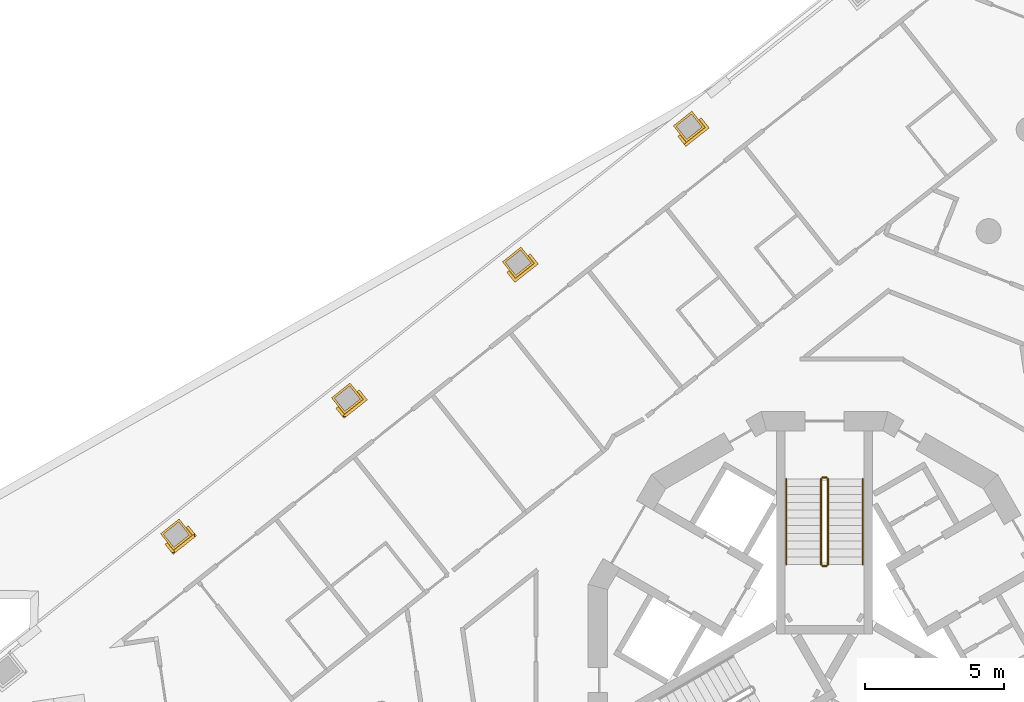
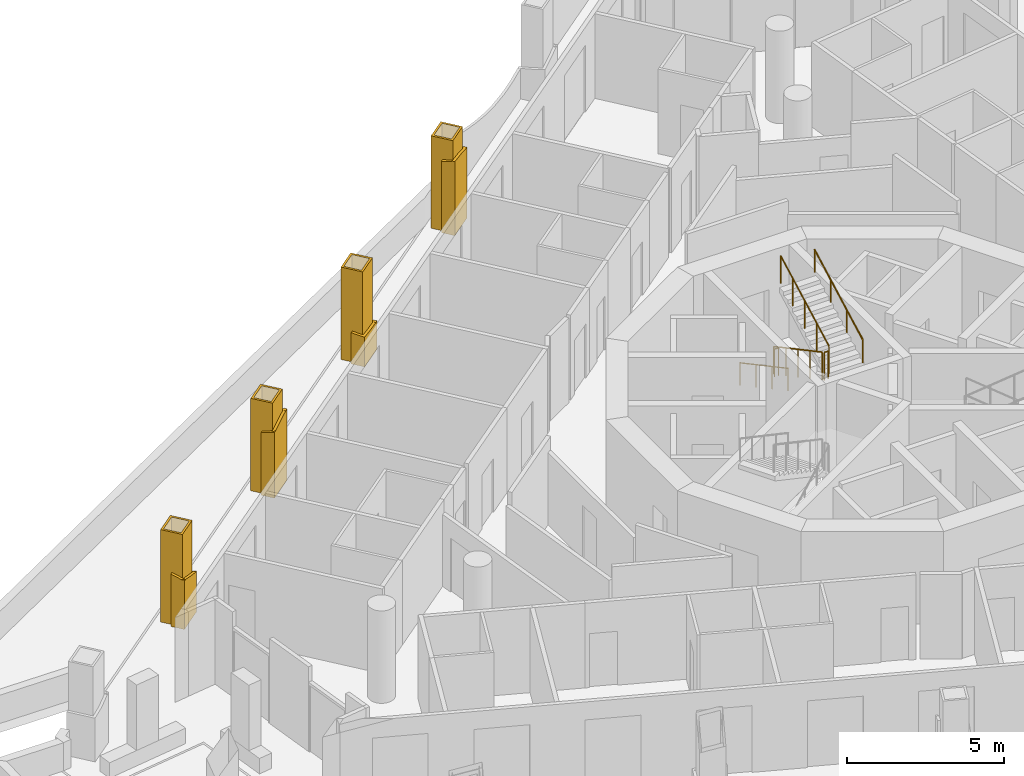
# One storey, part 14 of 16: 10 railings, 4 coverings.
"""IFC4 building model written with IfcOpenShell, lengths in metres."""

from ifc_helpers import new_model, si_unit, direction, frame, origin, origin_2d, place, context, subcontext, project, spatial, polyline, circle, outline, extrude, material, layer, layer_set, type_object, element, save


model = new_model("IFC4")

# Units and contexts
model_context = context("Model", 3, precision=1e-05, world=origin(), true_north=direction((0.0, 1.0)))
body_context = subcontext(model_context, "Body", "Model", "MODEL_VIEW")
ifc_project = project(units=[si_unit("LENGTHUNIT", "METRE"), si_unit("AREAUNIT", "SQUARE_METRE"), si_unit("VOLUMEUNIT", "CUBIC_METRE"), si_unit("PLANEANGLEUNIT", "RADIAN"), si_unit("MASSUNIT", "GRAM", prefix="KILO")], contexts=[model_context])

# Site, building, storey
site_placement = place(None, origin())
site = spatial("IfcSite", under=ifc_project, at=site_placement, CompositionType="ELEMENT")
building_placement = place(site_placement, origin())
building = spatial("IfcBuilding", under=site, at=building_placement, Name="Trine Commons Tower", CompositionType="ELEMENT")
storey_placement = place(building_placement, frame((0.0, 0.0, 198.0)))
storey = spatial("IfcBuildingStorey", under=building, at=storey_placement, Name="L51", CompositionType="ELEMENT", Elevation=198.0)

# Coverings
ifc_material_1 = material(Name="Limestone, honed", Category="masonry")
ifc_layer_1 = layer(ifc_material_1, 0.074951171875)
ifc_layer_set_1 = layer_set([ifc_layer_1], Name="Limestone, honed")
covering_type = type_object("IfcCoveringType", Name="Limestone column cladding 75", PredefinedType="CLADDING", material=ifc_layer_set_1)
covering_1_placement = place(storey_placement, origin())
element("IfcCovering", 1, at=covering_1_placement, inside=storey, type_object=covering_type, Name="Limestone pier cladding 6-09", PredefinedType="CLADDING", context=body_context, shape_type="SweptSolid", body=[
    extrude(outline(polyline([(57.265625, 66.54150390625), (56.798583984375, 67.12841796875), (56.13330078125, 66.599365234375), (56.600341796875, 66.012451171875), (57.265625, 66.54150390625)]), holes=[polyline([(57.16015625, 66.5537109375), (56.78662109375, 67.023193359375), (56.23876953125, 66.58740234375), (56.6123046875, 66.117919921875), (57.16015625, 66.5537109375)])]), origin(), (0.0, 0.0, 1.0), 3.60009765625),
])
covering_2_placement = place(storey_placement, origin())
element("IfcCovering", 2, at=covering_2_placement, inside=storey, type_object=covering_type, Name="Limestone pier cladding 6-10", PredefinedType="CLADDING", context=body_context, shape_type="SweptSolid", body=[
    extrude(outline(polyline([(63.40966796875, 71.4287109375), (62.942626953125, 72.015625), (62.27734375, 71.486572265625), (62.744384765625, 70.899658203125), (63.40966796875, 71.4287109375)]), holes=[polyline([(63.30419921875, 71.440673828125), (62.9306640625, 71.910400390625), (62.3828125, 71.474609375), (62.75634765625, 71.0048828125), (63.30419921875, 71.440673828125)])]), origin(), (0.0, 0.0, 1.0), 3.60009765625),
])
covering_3_placement = place(storey_placement, origin())
element("IfcCovering", 3, at=covering_3_placement, inside=storey, type_object=covering_type, Name="Limestone pier cladding 6-11", PredefinedType="CLADDING", context=body_context, shape_type="SweptSolid", body=[
    extrude(outline(polyline([(69.553466796875, 76.31591796875), (69.086669921875, 76.902587890625), (68.42138671875, 76.37353515625), (68.88818359375, 75.78662109375), (69.553466796875, 76.31591796875)]), holes=[polyline([(69.447998046875, 76.327880859375), (69.07470703125, 76.79736328125), (68.526611328125, 76.361572265625), (68.900146484375, 75.89208984375), (69.447998046875, 76.327880859375)])]), origin(), (0.0, 0.0, 1.0), 3.60009765625),
])
covering_4_placement = place(storey_placement, origin())
element("IfcCovering", 4, at=covering_4_placement, inside=storey, type_object=covering_type, Name="Limestone pier cladding 6-12", PredefinedType="CLADDING", context=body_context, shape_type="SweptSolid", body=[
    extrude(outline(polyline([(75.697509765625, 81.202880859375), (75.230712890625, 81.789794921875), (74.565185546875, 81.2607421875), (75.0322265625, 80.673828125), (75.697509765625, 81.202880859375)]), holes=[polyline([(75.592041015625, 81.21484375), (75.218505859375, 81.6845703125), (74.670654296875, 81.248779296875), (75.044189453125, 80.779052734375), (75.592041015625, 81.21484375)])]), origin(), (0.0, 0.0, 1.0), 3.60009765625),
])

# Railings
ifc_material_2 = material(Name="Stainless steel balustrade", Category="steel")
railing_type_1 = type_object("IfcRailingType", Name="Stair guard, steel balustrade 1100", PredefinedType="GUARDRAIL", material=ifc_material_2)
railing_1_placement = place(storey_placement, frame((79.875, 68.570556640625, 0.14990234375)))
element("IfcRailing", 5, at=railing_1_placement, inside=storey, type_object=railing_type_1, Name="L51 ST1C stair guard 1", PredefinedType="GUARDRAIL", context=body_context, shape_type="SweptSolid", body=[
    extrude(circle(Radius=0.02392578125, at=origin_2d()), frame((0.0, 0.0, 1.076171875), z_axis=(0.0, -0.881467505477, 0.472244678941), x_axis=(1.0, 0.0, 0.0)), (0.0, 0.0, 1.0), 3.494140625),
    extrude(circle(Radius=0.02099609375, at=origin_2d()), origin(), (0.0, 0.0, 1.0), 1.052001953125),
    extrude(circle(Radius=0.02099609375, at=origin_2d()), frame((0.0, -0.77001953125, 0.41259765625)), (0.0, 0.0, 1.0), 1.052001953125),
    extrude(circle(Radius=0.02099609375, at=origin_2d()), frame((0.0, -1.5400390625, 0.8251953125)), (0.0, 0.0, 1.0), 1.052001953125),
    extrude(circle(Radius=0.02099609375, at=origin_2d()), frame((0.0, -2.31005859375, 1.237548828125)), (0.0, 0.0, 1.0), 1.052001953125),
    extrude(circle(Radius=0.02099609375, at=origin_2d()), frame((0.0, -3.080078125, 1.650146484375)), (0.0, 0.0, 1.0), 1.052001953125),
])
railing_2_placement = place(storey_placement, frame((79.925048828125, 65.440673828125, 1.800048828125)))
element("IfcRailing", 6, at=railing_2_placement, inside=storey, type_object=railing_type_1, Name="L51 ST1C stair guard 2", PredefinedType="GUARDRAIL", context=body_context, shape_type="SweptSolid", body=[
    extrude(circle(Radius=0.02392578125, at=origin_2d()), frame((0.0, 0.0, 1.076171875), z_axis=(1.0, 0.0, 0.0), x_axis=(0.0, 1.0, 0.0)), (0.0, 0.0, 1.0), 0.14990234375),
    extrude(circle(Radius=0.02099609375, at=origin_2d()), origin(), (0.0, 0.0, 1.0), 1.052001953125),
    extrude(circle(Radius=0.02099609375, at=origin_2d()), frame((0.14990234375, 0.0, 0.0)), (0.0, 0.0, 1.0), 1.052001953125),
])
railing_3_placement = place(storey_placement, frame((80.125, 65.490478515625, 1.949951171875)))
element("IfcRailing", 7, at=railing_3_placement, inside=storey, type_object=railing_type_1, Name="L51 ST1C stair guard 3", PredefinedType="GUARDRAIL", context=body_context, shape_type="SweptSolid", body=[
    extrude(circle(Radius=0.02392578125, at=origin_2d()), frame((0.0, 0.0, 1.076171875), z_axis=(0.0, 0.881467505477, 0.472244678941), x_axis=(-1.0, 0.0, 0.0)), (0.0, 0.0, 1.0), 3.494140625),
    extrude(circle(Radius=0.02099609375, at=origin_2d()), origin(), (0.0, 0.0, 1.0), 1.052001953125),
    extrude(circle(Radius=0.02099609375, at=origin_2d()), frame((0.0, 0.77001953125, 0.41259765625)), (0.0, 0.0, 1.0), 1.052001953125),
    extrude(circle(Radius=0.02099609375, at=origin_2d()), frame((0.0, 1.5400390625, 0.8251953125)), (0.0, 0.0, 1.0), 1.052001953125),
    extrude(circle(Radius=0.02099609375, at=origin_2d()), frame((0.0, 2.31005859375, 1.237548828125)), (0.0, 0.0, 1.0), 1.052001953125),
    extrude(circle(Radius=0.02099609375, at=origin_2d()), frame((0.0, 3.080078125, 1.650146484375)), (0.0, 0.0, 1.0), 1.052001953125),
])
railing_4_placement = place(storey_placement, frame((79.925048828125, 68.62060546875, 0.0)))
element("IfcRailing", 8, at=railing_4_placement, inside=storey, type_object=railing_type_1, Name="L51 ST1C stair guard 4", PredefinedType="GUARDRAIL", context=body_context, shape_type="SweptSolid", body=[
    extrude(circle(Radius=0.02392578125, at=origin_2d()), frame((0.0, 0.0, 1.076171875), z_axis=(1.0, 0.0, 0.0), x_axis=(0.0, 1.0, 0.0)), (0.0, 0.0, 1.0), 0.14990234375),
    extrude(circle(Radius=0.02099609375, at=origin_2d()), origin(), (0.0, 0.0, 1.0), 1.052001953125),
    extrude(circle(Radius=0.02099609375, at=origin_2d()), frame((0.14990234375, 0.0, 0.0)), (0.0, 0.0, 1.0), 1.052001953125),
])
ifc_material_3 = material(Name="Stainless steel handrail", Category="steel")
railing_type_2 = type_object("IfcRailingType", Name="Stair handrail, steel 900", PredefinedType="HANDRAIL", material=ifc_material_3)
railing_5_placement = place(storey_placement, frame((78.625, 68.570556640625, 0.14990234375)))
element("IfcRailing", 9, at=railing_5_placement, inside=storey, type_object=railing_type_2, Name="L51 ST1C stair handrail 1", PredefinedType="HANDRAIL", context=body_context, shape_type="SweptSolid", body=[
    extrude(circle(Radius=0.02099609375, at=origin_2d()), frame((0.0, 0.0, 0.87890625), z_axis=(0.0, -0.881467505477, 0.472244678941), x_axis=(1.0, 0.0, 0.0)), (0.0, 0.0, 1.0), 3.494140625),
    extrude(circle(Radius=0.01513671875, at=origin_2d()), origin(), (0.0, 0.0, 1.0), 0.85791015625),
    extrude(circle(Radius=0.01513671875, at=origin_2d()), frame((0.0, -1.026611328125, 0.550048828125)), (0.0, 0.0, 1.0), 0.85791015625),
    extrude(circle(Radius=0.01513671875, at=origin_2d()), frame((0.0, -2.053466796875, 1.10009765625)), (0.0, 0.0, 1.0), 0.85791015625),
    extrude(circle(Radius=0.01513671875, at=origin_2d()), frame((0.0, -3.080078125, 1.650146484375)), (0.0, 0.0, 1.0), 0.85791015625),
])
railing_6_placement = place(storey_placement, frame((81.375, 65.490478515625, 1.949951171875)))
element("IfcRailing", 10, at=railing_6_placement, inside=storey, type_object=railing_type_2, Name="L51 ST1C stair handrail 2", PredefinedType="HANDRAIL", context=body_context, shape_type="SweptSolid", body=[
    extrude(circle(Radius=0.02099609375, at=origin_2d()), frame((0.0, 0.0, 0.87890625), z_axis=(0.0, 0.881467505477, 0.472244678941), x_axis=(-1.0, 0.0, 0.0)), (0.0, 0.0, 1.0), 3.494140625),
    extrude(circle(Radius=0.01513671875, at=origin_2d()), origin(), (0.0, 0.0, 1.0), 0.85791015625),
    extrude(circle(Radius=0.01513671875, at=origin_2d()), frame((0.0, 1.026611328125, 0.550048828125)), (0.0, 0.0, 1.0), 0.85791015625),
    extrude(circle(Radius=0.01513671875, at=origin_2d()), frame((0.0, 2.053466796875, 1.10009765625)), (0.0, 0.0, 1.0), 0.85791015625),
    extrude(circle(Radius=0.01513671875, at=origin_2d()), frame((0.0, 3.080078125, 1.650146484375)), (0.0, 0.0, 1.0), 0.85791015625),
])
ifc_material_4 = material(Name="White powder-coated aluminium", Category="aluminium")
ifc_layer_2 = layer(ifc_material_4, 0.10009765625)
ifc_layer_set_2 = layer_set([ifc_layer_2], Name="White powder-coated aluminium")
railing_type_3 = type_object("IfcRailingType", Name="White balustrade band 100", PredefinedType="GUARDRAIL", material=ifc_layer_set_2)
railing_7_placement = place(storey_placement, origin())
element("IfcRailing", 11, at=railing_7_placement, inside=storey, type_object=railing_type_3, Name="Guard band L51 7", PredefinedType="GUARDRAIL", context=body_context, shape_type="SweptSolid", body=[
    extrude(outline(polyline([(0.0, 0.0), (0.4658203125, 0.0), (0.466064453125, 1.879638671875), (0.0, 2.0419921875), (0.0, 0.0)])), frame((56.37158203125, 66.283935546875, 0.0), z_axis=(-0.782502389522, -0.622647581214, 0.0), x_axis=(0.622647581214, -0.782502389522, 0.0)), (0.0, 0.0, 1.0), 0.10009765625),
    extrude(outline(polyline([(0.0, 0.0), (1.072021484375, 0.0), (1.072021484375, 1.560302734375), (0.535888671875, 1.73193359375), (0.0, 1.9150390625), (0.0, 0.0)])), frame((56.519775390625, 65.935546875, 0.0), z_axis=(0.622637680729, -0.782510267368, 0.0), x_axis=(0.782510267368, 0.622637680729, 0.0)), (0.0, 0.0, 1.0), 0.10009765625),
    extrude(outline(polyline([(0.0, 0.0), (0.4658203125, 0.0), (0.4658203125, 1.454345703125), (0.0, 1.591796875), (0.0, 0.0)])), frame((57.342529296875, 66.4609375, 0.0), z_axis=(0.782502389522, 0.622647581214, 0.0), x_axis=(-0.622647581214, 0.782502389522, 0.0)), (0.0, 0.0, 1.0), 0.10009765625),
])
railing_8_placement = place(storey_placement, origin())
element("IfcRailing", 12, at=railing_8_placement, inside=storey, type_object=railing_type_3, Name="Guard band L51 8", PredefinedType="GUARDRAIL", context=body_context, shape_type="SweptSolid", body=[
    extrude(outline(polyline([(0.0, 0.0), (0.4658203125, 0.0), (0.4658203125, 2.569580078125), (0.4658203125, 2.569580078125), (0.0, 2.435302734375), (0.0, 0.0)])), frame((62.515380859375, 71.171142578125, 0.0), z_axis=(-0.782502389522, -0.622647581214, 0.0), x_axis=(0.622647581214, -0.782502389522, 0.0)), (0.0, 0.0, 1.0), 0.10009765625),
    extrude(outline(polyline([(0.0, 0.0), (1.0712890625, 0.0), (1.071533203125, 2.785888671875), (0.535888671875, 2.678466796875), (0.0, 2.5419921875), (0.0, 0.0)])), frame((62.6640625, 70.82275390625, 0.0), z_axis=(0.622580661471, -0.782555633781, 0.0), x_axis=(0.782555633781, 0.622580661471, 0.0)), (0.0, 0.0, 1.0), 0.10009765625),
    extrude(outline(polyline([(0.0, 0.0), (0.465576171875, 0.0), (0.465576171875, 2.77978515625), (0.0, 2.76806640625), (0.0, 0.0)])), frame((63.486328125, 71.34814453125, 0.0), z_axis=(0.782757767583, 0.622326503765, 0.0), x_axis=(-0.622326503765, 0.782757767583, 0.0)), (0.0, 0.0, 1.0), 0.10009765625),
])
railing_9_placement = place(storey_placement, origin())
element("IfcRailing", 13, at=railing_9_placement, inside=storey, type_object=railing_type_3, Name="Guard band L51 9", PredefinedType="GUARDRAIL", context=body_context, shape_type="SweptSolid", body=[
    extrude(outline(polyline([(0.0, 0.0), (0.46630859375, 0.0), (0.46630859375, 1.149658203125), (0.46630859375, 1.149658203125), (0.0, 1.216796875), (0.0, 0.0)])), frame((68.659423828125, 76.058349609375, 0.0), z_axis=(-0.7829082776, -0.622137146347, 0.0), x_axis=(0.622137146347, -0.7829082776, 0.0)), (0.0, 0.0, 1.0), 0.10009765625),
    extrude(outline(polyline([(0.0, 0.0), (1.07177734375, 0.0), (1.072021484375, 1.100830078125), (0.962158203125, 1.10009765625), (0.535888671875, 1.1123046875), (0.0, 1.161865234375), (0.0, 0.0)])), frame((68.807861328125, 75.7099609375, 0.0), z_axis=(0.622498201559, -0.782621229622, 0.0), x_axis=(0.782621229622, 0.622498201559, 0.0)), (0.0, 0.0, 1.0), 0.10009765625),
    extrude(outline(polyline([(0.0, 0.0), (0.465576171875, 0.0), (0.465576171875, 1.115234375), (0.0, 1.10009765625), (0.0, 0.0)])), frame((69.630126953125, 76.2353515625, 0.0), z_axis=(0.782757767583, 0.622326503765, 0.0), x_axis=(-0.622326503765, 0.782757767583, 0.0)), (0.0, 0.0, 1.0), 0.10009765625),
])
railing_10_placement = place(storey_placement, origin())
element("IfcRailing", 14, at=railing_10_placement, inside=storey, type_object=railing_type_3, Name="Guard band L51 10", PredefinedType="GUARDRAIL", context=body_context, shape_type="SweptSolid", body=[
    extrude(outline(polyline([(0.0, 0.0), (0.466064453125, 0.0), (0.466064453125, 2.87890625), (0.466064453125, 2.87890625), (0.0, 2.780517578125), (0.0, 0.0)])), frame((74.80322265625, 80.945556640625, 0.0), z_axis=(-0.78270545839, -0.622392292214, 0.0), x_axis=(0.622392292214, -0.78270545839, 0.0)), (0.0, 0.0, 1.0), 0.10009765625),
    extrude(outline(polyline([(0.0, 0.0), (1.072265625, 0.0), (1.072021484375, 2.745849609375), (0.535888671875, 2.833740234375), (0.0, 2.8857421875), (0.0, 0.0)])), frame((74.951416015625, 80.5966796875, 0.0), z_axis=(0.622526735294, -0.782598532994, 0.0), x_axis=(0.782598532994, 0.622526735294, 0.0)), (0.0, 0.0, 1.0), 0.10009765625),
    extrude(outline(polyline([(0.0, 0.0), (0.465576171875, 0.0), (0.465576171875, 2.66748046875), (0.0, 2.76513671875), (0.0, 0.0)])), frame((75.774169921875, 81.12255859375, 0.0), z_axis=(0.78255459198, 0.622581970965, 0.0), x_axis=(-0.622581970965, 0.78255459198, 0.0)), (0.0, 0.0, 1.0), 0.10009765625),
])

save(model, "model.ifc")
